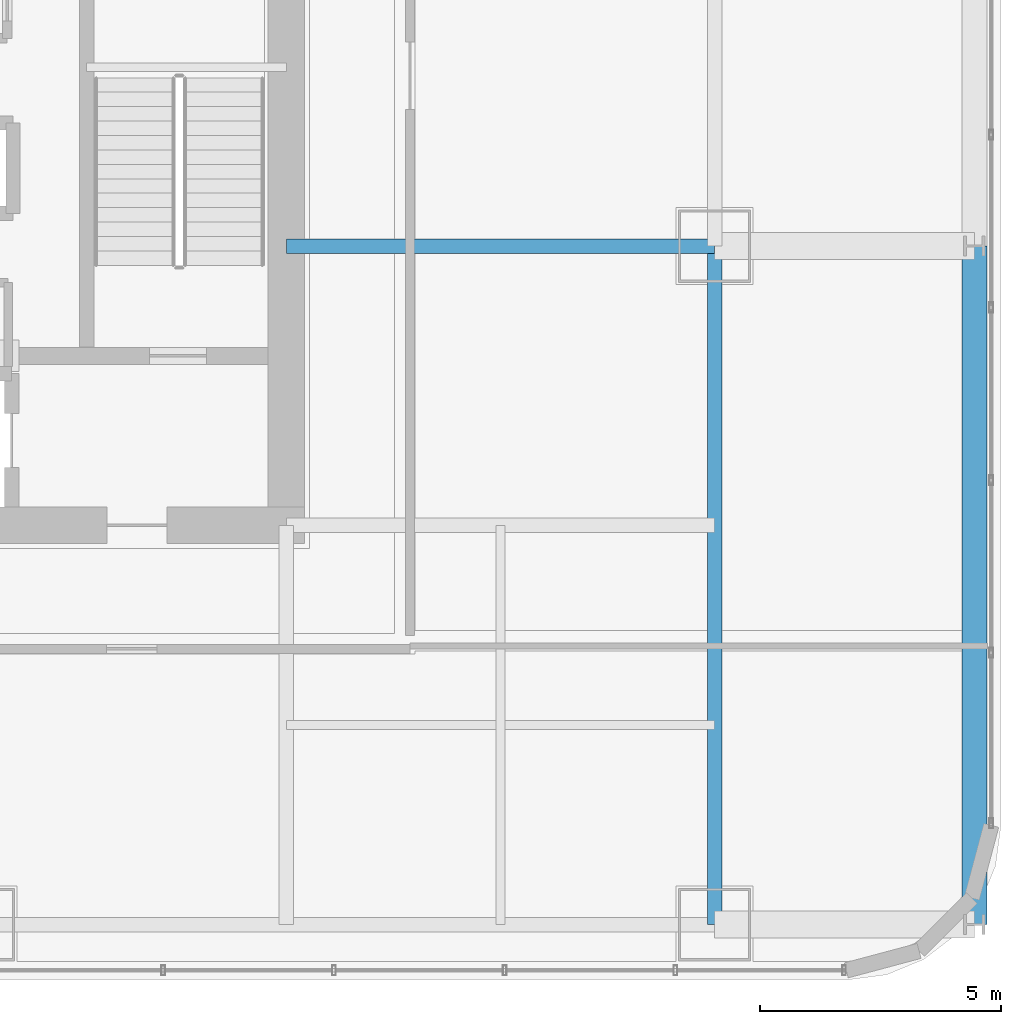
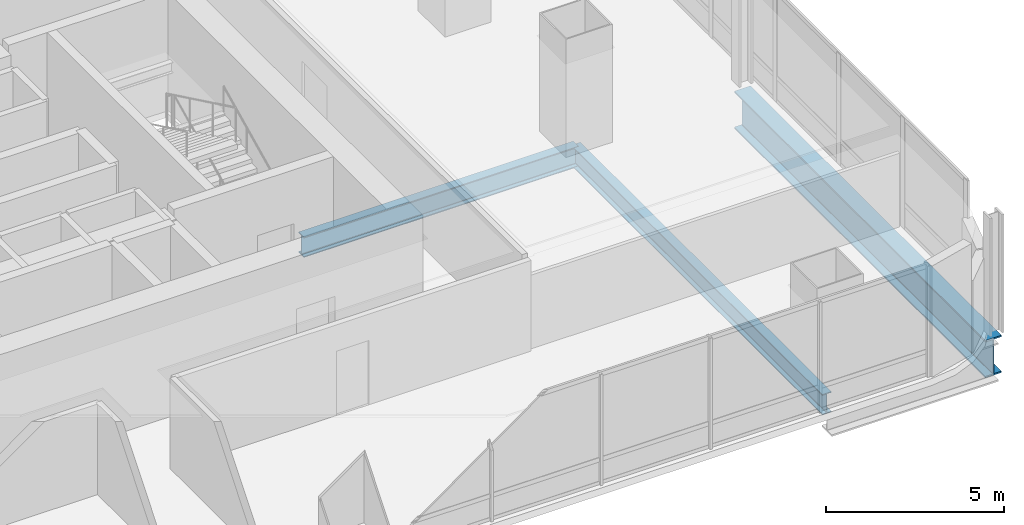
# One storey, part 14 of 34: 3 beams.
"""IFC4 building model written with IfcOpenShell, lengths in metres."""

from ifc_helpers import new_model, si_unit, direction, frame, origin, origin_2d, place, context, subcontext, project, spatial, i_section, extrude, material, material_profile, profile_set, type_object, element, save


model = new_model("IFC4")

# Units and contexts
model_context = context("Model", 3, precision=1e-05, world=origin(), true_north=direction((0.0, 1.0)))
body_context = subcontext(model_context, "Body", "Model", "MODEL_VIEW")
ifc_project = project(units=[si_unit("LENGTHUNIT", "METRE"), si_unit("AREAUNIT", "SQUARE_METRE"), si_unit("VOLUMEUNIT", "CUBIC_METRE"), si_unit("PLANEANGLEUNIT", "RADIAN"), si_unit("MASSUNIT", "GRAM", prefix="KILO")], contexts=[model_context])

# Site, building, storey
site_placement = place(None, origin())
site = spatial("IfcSite", under=ifc_project, at=site_placement, CompositionType="ELEMENT")
building_placement = place(site_placement, origin())
building = spatial("IfcBuilding", under=site, at=building_placement, Name="Punatoya Terracotta Tower", CompositionType="ELEMENT")
storey_placement = place(building_placement, frame((0.0, 0.0, 117.300048828125)))
storey = spatial("IfcBuildingStorey", under=building, at=storey_placement, Name="L27", CompositionType="ELEMENT", Elevation=117.300048828125)

# Beams
ifc_material_1 = material(Name="Steel S355", Category="steel")
ifc_material_profile_1 = material_profile(ifc_material_1, i_section(OverallWidth=0.300048828125, OverallDepth=0.699951171875, WebThickness=0.01708984375, FlangeThickness=0.031982421875, FilletRadius=0.01806640625, at=origin_2d()))
ifc_profile_set_1 = profile_set([ifc_material_profile_1], Name="Steel S355")
beam_type_1 = type_object("IfcBeamType", Name="BM-PRI-700", PredefinedType="BEAM", material=ifc_profile_set_1)
beam_1_placement = place(storey_placement, frame((19.10009765625, -17.5, -0.590087890625), z_axis=(0.0, 1.0, 0.0), x_axis=(-1.0, 0.0, 0.0)))
element("IfcBeam", 1, at=beam_1_placement, inside=storey, type_object=beam_type_1, Name="BM-L27-RG-E1", PredefinedType="BEAM", context=body_context, shape_type="SweptSolid", body=[
    extrude(i_section(OverallWidth=0.300048828125, OverallDepth=0.699951171875, WebThickness=0.01708984375, FlangeThickness=0.031982421875, FilletRadius=0.01806640625, at=origin_2d()), origin(), (0.0, 0.0, 1.0), 14.10009765625),
])
beam_2_placement = place(storey_placement, frame((10.199951171875, -3.39990234375, -0.590087890625), z_axis=(1.0, 0.0, 0.0), x_axis=(0.0, 1.0, 0.0)))
element("IfcBeam", 2, at=beam_2_placement, inside=storey, type_object=beam_type_1, Name="BM-L27-PR-ED", PredefinedType="BEAM", context=body_context, shape_type="SweptSolid", body=[
    extrude(i_section(OverallWidth=0.300048828125, OverallDepth=0.699951171875, WebThickness=0.01708984375, FlangeThickness=0.031982421875, FilletRadius=0.01806640625, at=origin_2d()), origin(), (0.0, 0.0, 1.0), 8.900146484375),
])
ifc_material_2 = material(Name="Steel S460", Category="steel")
ifc_material_profile_2 = material_profile(ifc_material_2, i_section(OverallWidth=0.52001953125, OverallDepth=1.280029296875, WebThickness=0.031982421875, FlangeThickness=0.050048828125, FilletRadius=0.01806640625, at=origin_2d()))
ifc_profile_set_2 = profile_set([ifc_material_profile_2], Name="Steel S460")
beam_type_2 = type_object("IfcBeamType", Name="BM-TG-NCK", PredefinedType="BEAM", material=ifc_profile_set_2)
beam_3_placement = place(storey_placement, frame((24.5, -17.5, -0.880126953125), z_axis=(0.0, 1.0, 0.0), x_axis=(-1.0, 0.0, 0.0)))
element("IfcBeam", 3, at=beam_3_placement, inside=storey, type_object=beam_type_2, Name="BM-L27-PER-E1", PredefinedType="BEAM", context=body_context, shape_type="SweptSolid", body=[
    extrude(i_section(OverallWidth=0.52001953125, OverallDepth=1.280029296875, WebThickness=0.031982421875, FlangeThickness=0.050048828125, FilletRadius=0.01806640625, at=origin_2d()), origin(), (0.0, 0.0, 1.0), 14.10009765625),
])

save(model, "model.ifc")
